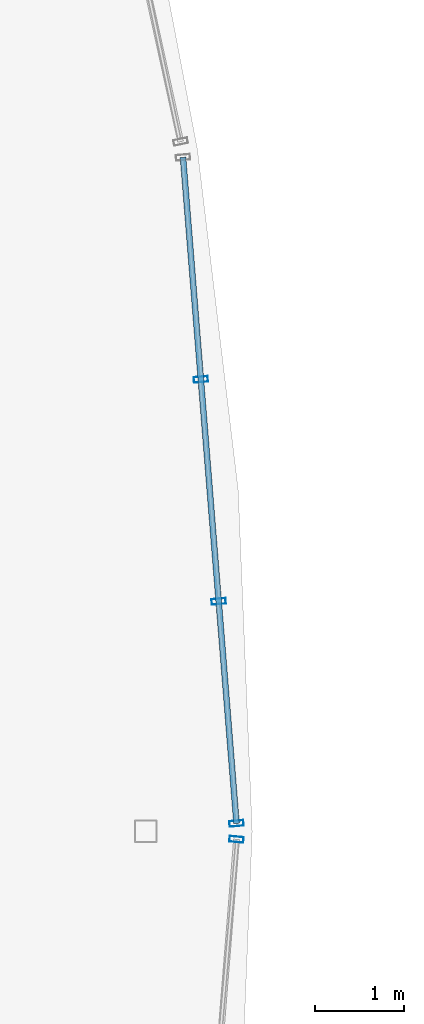
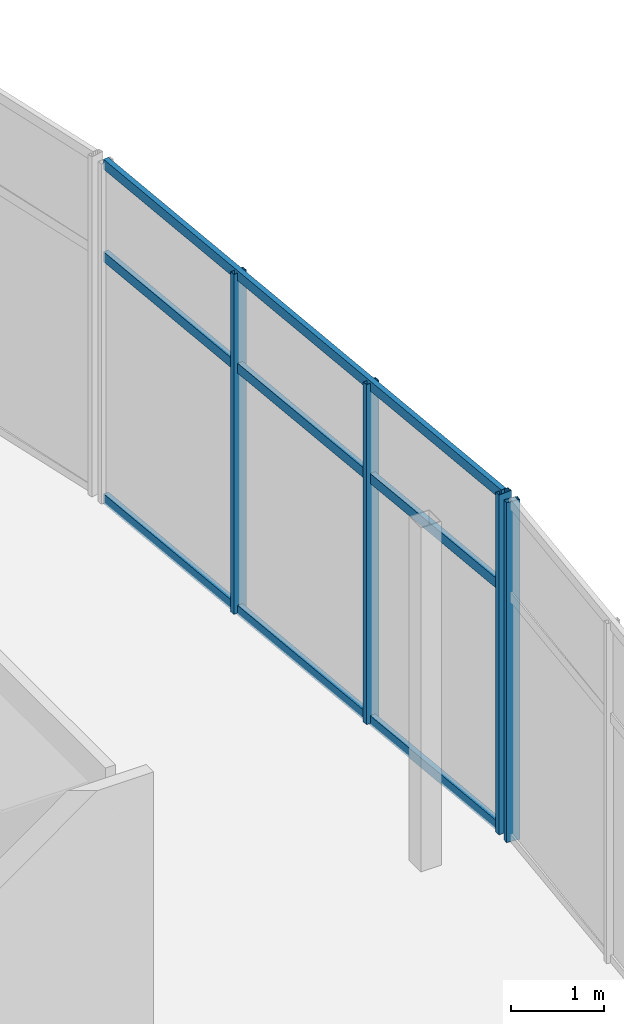
# One storey, part 67 of 114: 7 members, 2 elements without a shape of their own.
"""IFC4 building model written with IfcOpenShell, lengths in metres."""

import ifcopenshell
import ifcopenshell.guid

model = None  # the IFC model being written
_history = None  # IfcOwnerHistory: only IFC2X3 demands one
_inside = {}  # id of a spatial element -> (the spatial element, [elements in it])
_under = {}  # id of a project, library or spatial element -> (it, [spatial elements below it])
_declared = {}  # id of a project -> (the project, [libraries it declares])
_typed = {}  # id of a type object -> (the type object, [elements of that type])
_made_of = {}  # id of a material, layer set ... -> (it, [elements and type objects made of it])


def new_model(schema):
    """Start an empty IFC model of exactly this schema.

    Asked for "IFC4X3", IfcOpenShell would pick the latest addendum, in which some entities
    have other attributes; the version numbers below select the first issue.
    IFC2X3 requires an IfcOwnerHistory on every rooted entity: one is made here for all.
    """
    global model, _history
    if schema == "IFC4X3":
        model = ifcopenshell.file(schema_version=(4, 3, 0, 0))
    else:
        model = ifcopenshell.file(schema=schema)
    _inside.clear()
    _under.clear()
    _declared.clear()
    _typed.clear()
    _made_of.clear()
    _history = None
    if model.schema == "IFC2X3":
        org = make("IfcOrganization", Name="unknown")
        user = make(
            "IfcPersonAndOrganization",
            ThePerson=make("IfcPerson", FamilyName="unknown"),
            TheOrganization=org,
        )
        app = make(
            "IfcApplication",
            ApplicationDeveloper=org,
            Version="unknown",
            ApplicationFullName="unknown",
            ApplicationIdentifier="unknown",
        )
        _history = make(
            "IfcOwnerHistory",
            OwningUser=user,
            OwningApplication=app,
            ChangeAction="ADDED",
            CreationDate=0,
        )
    return model


def make(cls, **values):
    """One entity of the class cls with the attributes given. An attribute that is None is left unset."""
    return model.create_entity(
        cls, **{name: value for name, value in values.items() if value is not None}
    )


def rooted(cls, **values):
    """An entity with a GlobalId (a new one), such as an element, a storey or a relation."""
    return make(cls, GlobalId=ifcopenshell.guid.new(), OwnerHistory=_history, **values)


def si_unit(unit_type, name, prefix=None):
    """IfcSIUnit, for example si_unit("LENGTHUNIT", "METRE", prefix="MILLI")."""
    return make("IfcSIUnit", UnitType=unit_type, Prefix=prefix, Name=name)


def assignment(units):
    """IfcUnitAssignment: the units of a project."""
    return None if units is None else make("IfcUnitAssignment", Units=units)


def point(xyz):
    """IfcCartesianPoint."""
    return None if xyz is None else make("IfcCartesianPoint", Coordinates=xyz)


def direction(xyz):
    """IfcDirection."""
    return None if xyz is None else make("IfcDirection", DirectionRatios=xyz)


def frame(location, z_axis=None, x_axis=None):
    """IfcAxis2Placement3D, a coordinate frame: its origin and axes. An axis left out is left unset."""
    return make(
        "IfcAxis2Placement3D",
        Location=point(location),
        Axis=direction(z_axis),
        RefDirection=direction(x_axis),
    )


def frame_2d(location, x_axis=None):
    """IfcAxis2Placement2D, a coordinate frame in the plane: its origin and x axis."""
    return make(
        "IfcAxis2Placement2D", Location=point(location), RefDirection=direction(x_axis)
    )


def origin():
    """The frame at (0, 0, 0) with its axes left unset."""
    return frame((0.0, 0.0, 0.0))


def origin_2d():
    """The frame at (0, 0) in the plane with its x axis left unset."""
    return frame_2d((0.0, 0.0))


def place(relative_to, where):
    """IfcLocalPlacement: puts the frame where relative to a parent placement (None: the world)."""
    return make(
        "IfcLocalPlacement", PlacementRelTo=relative_to, RelativePlacement=where
    )


def context(
    kind, dimensions, precision=None, world=None, true_north=None, identifier=None
):
    """IfcGeometricRepresentationContext, for example the 3D "Model" context."""
    return make(
        "IfcGeometricRepresentationContext",
        ContextIdentifier=identifier,
        ContextType=kind,
        CoordinateSpaceDimension=dimensions,
        Precision=precision,
        WorldCoordinateSystem=world,
        TrueNorth=true_north,
    )


def subcontext(parent, identifier, kind, view, scale=None):
    """IfcGeometricRepresentationSubContext, for example "Body" below "Model"."""
    return make(
        "IfcGeometricRepresentationSubContext",
        ContextIdentifier=identifier,
        ContextType=kind,
        ParentContext=parent,
        TargetScale=scale,
        TargetView=view,
    )


def project(units=None, contexts=None):
    """IfcProject with its units and contexts."""
    return rooted(
        "IfcProject",
        Name="project",
        RepresentationContexts=contexts,
        UnitsInContext=assignment(units),
    )


def spatial(cls, under=None, at=None, **own):
    """A site, building, storey or space (cls), placed at a placement, below another one or the project."""
    s = rooted(cls, ObjectPlacement=at, **own)
    if under is not None:
        _under.setdefault(under.id(), (under, []))[1].append(s)
    return s


def profile(cls, at=None, kind="AREA", **sizes):
    """A parametric profile (cls). Its sizes go by their IFC names, for example OverallWidth=200.0."""
    return make(cls, ProfileType=kind, Position=at, **sizes)


def hollow_rectangle(**sizes):
    """IfcRectangleHollowProfileDef."""
    return profile("IfcRectangleHollowProfileDef", **sizes)


def extrude(swept, where, along, depth):
    """IfcExtrudedAreaSolid: the profile swept, set in the frame where, extruded along a direction by depth."""
    return make(
        "IfcExtrudedAreaSolid",
        SweptArea=swept,
        Position=where,
        ExtrudedDirection=direction(along),
        Depth=depth,
    )


def shape(context_of_items, identifier, shape_type, items):
    """IfcShapeRepresentation: the items that make up one representation, for example the "Body"."""
    return make(
        "IfcShapeRepresentation",
        ContextOfItems=context_of_items,
        RepresentationIdentifier=identifier,
        RepresentationType=shape_type,
        Items=items,
    )


def material(Name=None, Category=None):
    """IfcMaterial."""
    return make("IfcMaterial", Name=Name, Category=Category)


def layer(
    of_material, thickness, ventilated=None, Name=None, Category=None, Priority=None
):
    """IfcMaterialLayer: one layer of a wall or slab, of a material (None: an air gap)."""
    return make(
        "IfcMaterialLayer",
        Material=of_material,
        LayerThickness=thickness,
        IsVentilated=ventilated,
        Name=Name,
        Category=Category,
        Priority=Priority,
    )


def layer_set(layers, Name=None):
    """IfcMaterialLayerSet."""
    return make("IfcMaterialLayerSet", MaterialLayers=layers, LayerSetName=Name)


def material_profile(
    of_material, cross_section, Name=None, Category=None, Priority=None
):
    """IfcMaterialProfile: a cross section and its material."""
    return make(
        "IfcMaterialProfile",
        Name=Name,
        Material=of_material,
        Profile=cross_section,
        Priority=Priority,
        Category=Category,
    )


def profile_set(profiles, Name=None, composite=None):
    """IfcMaterialProfileSet."""
    return make(
        "IfcMaterialProfileSet",
        Name=Name,
        MaterialProfiles=profiles,
        CompositeProfile=composite,
    )


def made_of(thing, what):
    """Note that an element or type object is made of a material, layer set ...; save() writes the relation."""
    if what is not None:
        _made_of.setdefault(what.id(), (what, []))[1].append(thing)
    return thing


def type_object(cls, material=None, **own):
    """A type object (cls), such as IfcWallType, which elements share."""
    return made_of(rooted(cls, **own), material)


def element(
    cls,
    number,
    at=None,
    inside=None,
    cuts=None,
    type_object=None,
    material=None,
    context=None,
    identifier="Body",
    shape_type=None,
    held_by="IfcProductDefinitionShape",
    body=None,
    shapes=None,
    **own,
):
    """One element of the class cls, such as IfcWall. Its Tag is "e" and its number.

    at: its placement. inside: the storey or other place that contains it. cuts: it is an
    opening in that element (IfcRelVoidsElement). A single representation is given by context,
    identifier, shape_type and body (its items); several are given by shapes. held_by: the class
    of the entity that holds the representations. save() writes the other relations.
    """
    e = rooted(cls, Tag="e%d" % number, ObjectPlacement=at, **own)
    if body is not None:
        shapes = [shape(context, identifier, shape_type, body)]
    if shapes is not None:
        e.Representation = make(held_by, Representations=shapes)
    if inside is not None:
        _inside.setdefault(inside.id(), (inside, []))[1].append(e)
    if cuts is not None:
        rooted(
            "IfcRelVoidsElement", RelatingBuildingElement=cuts, RelatedOpeningElement=e
        )
    if type_object is not None:
        _typed.setdefault(type_object.id(), (type_object, []))[1].append(e)
    return made_of(e, material)


def aggregate(whole, parts):
    """IfcRelAggregates: a whole, such as a stair, and the parts it consists of."""
    return rooted("IfcRelAggregates", RelatingObject=whole, RelatedObjects=parts)


def save(model, path):
    """Write the relations noted so far, then the file.

    IfcRelAggregates (storeys below a building ...), IfcRelContainedInSpatialStructure (elements
    in a storey), IfcRelDefinesByType, IfcRelAssociatesMaterial and IfcRelDeclares: one each for
    every whole, place, type object, material and project.
    """
    for whole, parts in _under.values():
        aggregate(whole, parts)
    for where, things in _inside.values():
        rooted(
            "IfcRelContainedInSpatialStructure",
            RelatedElements=things,
            RelatingStructure=where,
        )
    for kind, things in _typed.values():
        rooted("IfcRelDefinesByType", RelatedObjects=things, RelatingType=kind)
    for what, things in _made_of.values():
        rooted("IfcRelAssociatesMaterial", RelatedObjects=things, RelatingMaterial=what)
    for by, libraries in _declared.values():
        rooted("IfcRelDeclares", RelatingContext=by, RelatedDefinitions=libraries)
    model.write(path)


model = new_model("IFC4")

# Units and contexts
model_context = context("Model", 3, precision=1e-05, world=origin(), true_north=direction((0.0, 1.0)))
body_context = subcontext(model_context, "Body", "Model", "MODEL_VIEW")
ifc_project = project(units=[si_unit("LENGTHUNIT", "METRE"), si_unit("AREAUNIT", "SQUARE_METRE"), si_unit("VOLUMEUNIT", "CUBIC_METRE"), si_unit("PLANEANGLEUNIT", "RADIAN"), si_unit("MASSUNIT", "GRAM", prefix="KILO")], contexts=[model_context])

# Site, building, storey
site_placement = place(None, origin())
site = spatial("IfcSite", under=ifc_project, at=site_placement, CompositionType="ELEMENT")
building_placement = place(site_placement, origin())
building = spatial("IfcBuilding", under=site, at=building_placement, Name="Chalmorin Arch Market", CompositionType="ELEMENT")
storey_placement = place(building_placement, frame((0.0, 0.0, 9.60009765625)))
storey = spatial("IfcBuildingStorey", under=building, at=storey_placement, Name="L02", CompositionType="ELEMENT", Elevation=9.60009765625)

# Curtain wall, member
ifc_material = material(Name="Aluminium 6063-T6", Category="aluminium")
ifc_layer = layer(ifc_material, 0.159912109375)
ifc_layer_set = layer_set([ifc_layer], Name="Aluminium 6063-T6")
curtain_wall_type = type_object("IfcCurtainWallType", Name="CulinaryStudioCurtainWall-CW3-7510x4450", PredefinedType="NOTDEFINED", material=ifc_layer_set)
curtain_wall_1_placement = place(storey_placement, origin())
curtain_wall_1 = element("IfcCurtainWall", 1, at=curtain_wall_1_placement, inside=storey, type_object=curtain_wall_type, Name="CW-03-184", PredefinedType="NOTDEFINED")
ifc_material_profile_1 = material_profile(ifc_material, hollow_rectangle(XDim=0.06494140625, YDim=0.159912109375, WallThickness=0.00390625, at=origin_2d()), Name="ALU65X160X4")
ifc_profile_set_1 = profile_set([ifc_material_profile_1], Name="Aluminium 6063-T6")
member_type_1 = type_object("IfcMemberType", Name="CurtainWallMullion-65x160", PredefinedType="MULLION", material=ifc_profile_set_1)
member_1_placement = place(storey_placement, frame((120.272705078125, 94.910400390625, 0.0), z_axis=(0.0, 0.0, 1.0), x_axis=(0.087155742748, 0.996194698092, 0.0)))
member_1 = element("IfcMember", 2, at=member_1_placement, type_object=member_type_1, Name="ML-184-04", PredefinedType="MULLION", context=body_context, shape_type="SweptSolid", body=[
    extrude(hollow_rectangle(XDim=0.06494140625, YDim=0.159912109375, WallThickness=0.00390625, at=origin_2d()), origin(), (0.0, 0.0, 1.0), 4.449951171875),
])
aggregate(curtain_wall_1, [member_1])

# Curtain wall, members
curtain_wall_2_placement = place(storey_placement, origin())
curtain_wall_2 = element("IfcCurtainWall", 3, at=curtain_wall_2_placement, inside=storey, type_object=curtain_wall_type, Name="CW-03-186", PredefinedType="NOTDEFINED")
member_2_placement = place(storey_placement, frame((120.272705078125, 95.089599609375, 0.0), z_axis=(0.0, 0.0, 1.0), x_axis=(-0.087155742748, 0.996194698092, 0.0)))
member_2 = element("IfcMember", 4, at=member_2_placement, type_object=member_type_1, Name="ML-186-01", PredefinedType="MULLION", context=body_context, shape_type="SweptSolid", body=[
    extrude(hollow_rectangle(XDim=0.06494140625, YDim=0.159912109375, WallThickness=0.00390625, at=origin_2d()), origin(), (0.0, 0.0, 1.0), 4.449951171875),
])
member_3_placement = place(storey_placement, frame((120.072265625, 97.585693359375, 0.0), z_axis=(0.0, 0.0, 1.0), x_axis=(-0.087155742748, 0.996194698092, 0.0)))
member_3 = element("IfcMember", 5, at=member_3_placement, type_object=member_type_1, Name="ML-186-02", PredefinedType="MULLION", context=body_context, shape_type="SweptSolid", body=[
    extrude(hollow_rectangle(XDim=0.06494140625, YDim=0.159912109375, WallThickness=0.00390625, at=origin_2d()), origin(), (0.0, 0.0, 1.0), 4.449951171875),
])
member_4_placement = place(storey_placement, frame((119.87158203125, 100.081298828125, 0.0), z_axis=(0.0, 0.0, 1.0), x_axis=(-0.087155742748, 0.996194698092, 0.0)))
member_4 = element("IfcMember", 6, at=member_4_placement, type_object=member_type_1, Name="ML-186-03", PredefinedType="MULLION", context=body_context, shape_type="SweptSolid", body=[
    extrude(hollow_rectangle(XDim=0.06494140625, YDim=0.159912109375, WallThickness=0.00390625, at=origin_2d()), origin(), (0.0, 0.0, 1.0), 4.449951171875),
])
ifc_material_profile_2 = material_profile(ifc_material, hollow_rectangle(XDim=0.06494140625, YDim=0.1298828125, WallThickness=0.00390625, at=origin_2d()), Name="ALU65X130X4")
ifc_profile_set_2 = profile_set([ifc_material_profile_2], Name="Aluminium 6063-T6")
member_type_2 = type_object("IfcMemberType", Name="CurtainWallTransom-65x130", PredefinedType="USERDEFINED", material=ifc_profile_set_2)
member_5_placement = place(storey_placement, frame((120.272705078125, 95.089599609375, 0.034912109375), z_axis=(-0.080081072812, 0.996788353552, 0.0), x_axis=(-0.996788353552, -0.080081072812, 0.0)))
member_5 = element("IfcMember", 7, at=member_5_placement, type_object=member_type_2, Name="TR-186-01", ObjectType="TRANSOM", PredefinedType="USERDEFINED", context=body_context, shape_type="SweptSolid", body=[
    extrude(hollow_rectangle(XDim=0.06494140625, YDim=0.1298828125, WallThickness=0.00390625, at=origin_2d()), origin(), (0.0, 0.0, 1.0), 7.511962890625),
])
member_6_placement = place(storey_placement, frame((120.272705078125, 95.089599609375, 3.203857421875), z_axis=(-0.080081072812, 0.996788353552, 0.0), x_axis=(-0.996788353552, -0.080081072812, 0.0)))
member_6 = element("IfcMember", 8, at=member_6_placement, type_object=member_type_2, Name="TR-186-02", ObjectType="TRANSOM", PredefinedType="USERDEFINED", context=body_context, shape_type="SweptSolid", body=[
    extrude(hollow_rectangle(XDim=0.06494140625, YDim=0.1298828125, WallThickness=0.00390625, at=origin_2d()), origin(), (0.0, 0.0, 1.0), 7.511962890625),
])
member_7_placement = place(storey_placement, frame((120.272705078125, 95.089599609375, 4.414794921875), z_axis=(-0.080081072812, 0.996788353552, 0.0), x_axis=(-0.996788353552, -0.080081072812, 0.0)))
member_7 = element("IfcMember", 9, at=member_7_placement, type_object=member_type_2, Name="TR-186-03", ObjectType="TRANSOM", PredefinedType="USERDEFINED", context=body_context, shape_type="SweptSolid", body=[
    extrude(hollow_rectangle(XDim=0.06494140625, YDim=0.1298828125, WallThickness=0.00390625, at=origin_2d()), origin(), (0.0, 0.0, 1.0), 7.511962890625),
])
aggregate(curtain_wall_2, [member_2, member_3, member_4, member_5, member_6, member_7])

save(model, "model.ifc")
